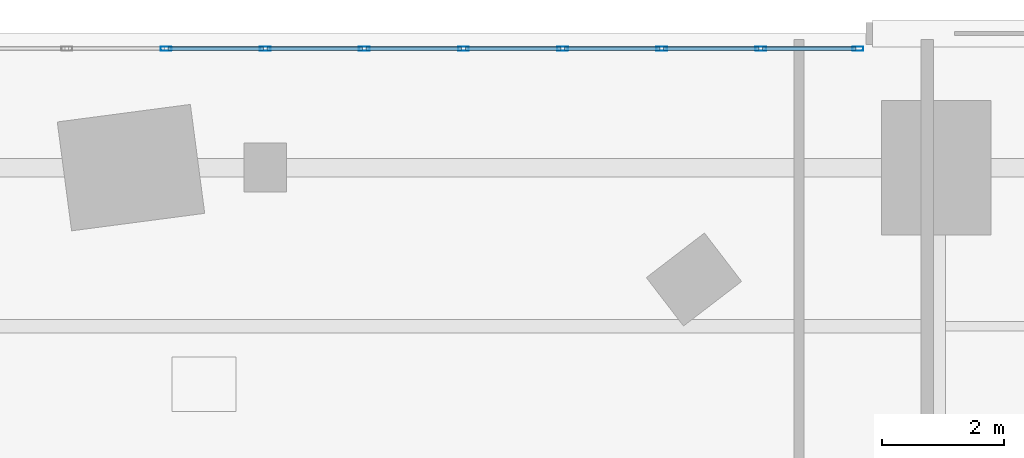
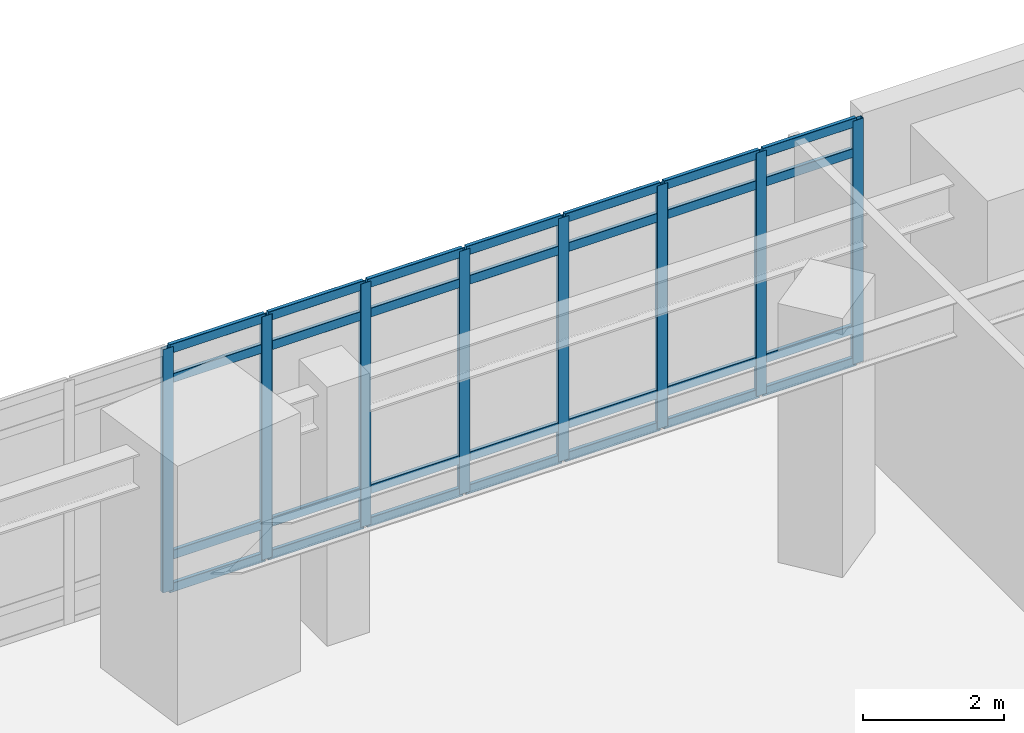
# One storey, part 10 of 19: 36 members, 1 element without a shape of its own.
"""IFC4 building model written with IfcOpenShell, lengths in metres."""

from ifc_helpers import new_model, si_unit, direction, frame, origin, origin_2d, place, context, subcontext, project, spatial, hollow_rectangle, extrude, material, layer, layer_set, material_profile, profile_set, type_object, element, aggregate, save


model = new_model("IFC4")

# Units and contexts
model_context = context("Model", 3, precision=1e-05, world=origin(), true_north=direction((0.0, 1.0)))
body_context = subcontext(model_context, "Body", "Model", "MODEL_VIEW")
ifc_project = project(units=[si_unit("LENGTHUNIT", "METRE"), si_unit("AREAUNIT", "SQUARE_METRE"), si_unit("VOLUMEUNIT", "CUBIC_METRE"), si_unit("PLANEANGLEUNIT", "RADIAN"), si_unit("MASSUNIT", "GRAM", prefix="KILO")], contexts=[model_context])

# Site, building, storey
site_placement = place(None, origin())
site = spatial("IfcSite", under=ifc_project, at=site_placement, CompositionType="ELEMENT")
building_placement = place(site_placement, origin())
building = spatial("IfcBuilding", under=site, at=building_placement, Name="Ndelora Gate Hotel", CompositionType="ELEMENT")
storey_placement = place(building_placement, frame((0.0, 0.0, 21.5)))
storey = spatial("IfcBuildingStorey", under=building, at=storey_placement, Name="L04", CompositionType="ELEMENT", Elevation=21.5)

# Curtain wall, members
ifc_material_1 = material(Name="Bronze Anodised Unitised Aluminium and Low-E Glass", Category="aluminium")
ifc_layer = layer(ifc_material_1, 0.219970703125)
ifc_layer_set = layer_set([ifc_layer], Name="Bronze Anodised Unitised Aluminium and Low-E Glass")
curtain_wall_type = type_object("IfcCurtainWallType", Name="CW-SYS-2", PredefinedType="NOTDEFINED", material=ifc_layer_set)
curtain_wall_placement = place(storey_placement, origin())
curtain_wall = element("IfcCurtainWall", 1, at=curtain_wall_placement, inside=storey, type_object=curtain_wall_type, Name="L04 North Banquet Pre-Function Curtain Wall CW2", PredefinedType="NOTDEFINED")
ifc_material_2 = material(Name="Bronze Anodised Aluminium 6063-T6", Category="aluminium")
ifc_material_profile_1 = material_profile(ifc_material_2, hollow_rectangle(XDim=0.070068359375, YDim=0.179931640625, WallThickness=0.0048828125, InnerFilletRadius=0.0048828125, OuterFilletRadius=0.010009765625, at=origin_2d()), Name="ALU 180x70x5")
ifc_profile_set_1 = profile_set([ifc_material_profile_1], Name="Bronze Anodised Aluminium 6063-T6")
member_type_1 = type_object("IfcMemberType", Name="MB-CW-MUL180", PredefinedType="MULLION", material=ifc_profile_set_1)
member_1_placement = place(storey_placement, frame((9.715087890625, 20.75, -0.00390625), z_axis=(0.0, 0.0, 1.0), x_axis=(0.0, -1.0, 0.0)))
member_1 = element("IfcMember", 2, at=member_1_placement, type_object=member_type_1, Name="CW2 mullion 1", PredefinedType="MULLION", context=body_context, shape_type="SweptSolid", body=[
    extrude(hollow_rectangle(XDim=0.070068359375, YDim=0.179931640625, WallThickness=0.0048828125, InnerFilletRadius=0.0048828125, OuterFilletRadius=0.010009765625, at=origin_2d()), origin(), (0.0, 0.0, 1.0), 4.22802734375),
])
member_2_placement = place(storey_placement, frame((8.125, 20.75, -0.00390625), z_axis=(0.0, 0.0, 1.0), x_axis=(0.0, -1.0, 0.0)))
member_2 = element("IfcMember", 3, at=member_2_placement, type_object=member_type_1, Name="CW2 mullion 2", PredefinedType="MULLION", context=body_context, shape_type="SweptSolid", body=[
    extrude(hollow_rectangle(XDim=0.070068359375, YDim=0.179931640625, WallThickness=0.0048828125, InnerFilletRadius=0.0048828125, OuterFilletRadius=0.010009765625, at=origin_2d()), origin(), (0.0, 0.0, 1.0), 4.22802734375),
])
member_3_placement = place(storey_placement, frame((6.5, 20.75, -0.00390625), z_axis=(0.0, 0.0, 1.0), x_axis=(0.0, -1.0, 0.0)))
member_3 = element("IfcMember", 4, at=member_3_placement, type_object=member_type_1, Name="CW2 mullion 3", PredefinedType="MULLION", context=body_context, shape_type="SweptSolid", body=[
    extrude(hollow_rectangle(XDim=0.070068359375, YDim=0.179931640625, WallThickness=0.0048828125, InnerFilletRadius=0.0048828125, OuterFilletRadius=0.010009765625, at=origin_2d()), origin(), (0.0, 0.0, 1.0), 4.22802734375),
])
member_4_placement = place(storey_placement, frame((4.875, 20.75, -0.00390625), z_axis=(0.0, 0.0, 1.0), x_axis=(0.0, -1.0, 0.0)))
member_4 = element("IfcMember", 5, at=member_4_placement, type_object=member_type_1, Name="CW2 mullion 4", PredefinedType="MULLION", context=body_context, shape_type="SweptSolid", body=[
    extrude(hollow_rectangle(XDim=0.070068359375, YDim=0.179931640625, WallThickness=0.0048828125, InnerFilletRadius=0.0048828125, OuterFilletRadius=0.010009765625, at=origin_2d()), origin(), (0.0, 0.0, 1.0), 4.22802734375),
])
member_5_placement = place(storey_placement, frame((3.25, 20.75, -0.00390625), z_axis=(0.0, 0.0, 1.0), x_axis=(0.0, -1.0, 0.0)))
member_5 = element("IfcMember", 6, at=member_5_placement, type_object=member_type_1, Name="CW2 mullion 5", PredefinedType="MULLION", context=body_context, shape_type="SweptSolid", body=[
    extrude(hollow_rectangle(XDim=0.070068359375, YDim=0.179931640625, WallThickness=0.0048828125, InnerFilletRadius=0.0048828125, OuterFilletRadius=0.010009765625, at=origin_2d()), origin(), (0.0, 0.0, 1.0), 4.22802734375),
])
member_6_placement = place(storey_placement, frame((1.625, 20.75, -0.00390625), z_axis=(0.0, 0.0, 1.0), x_axis=(0.0, -1.0, 0.0)))
member_6 = element("IfcMember", 7, at=member_6_placement, type_object=member_type_1, Name="CW2 mullion 6", PredefinedType="MULLION", context=body_context, shape_type="SweptSolid", body=[
    extrude(hollow_rectangle(XDim=0.070068359375, YDim=0.179931640625, WallThickness=0.0048828125, InnerFilletRadius=0.0048828125, OuterFilletRadius=0.010009765625, at=origin_2d()), origin(), (0.0, 0.0, 1.0), 4.22802734375),
])
member_7_placement = place(storey_placement, frame((0.0, 20.75, -0.00390625), z_axis=(0.0, 0.0, 1.0), x_axis=(0.0, -1.0, 0.0)))
member_7 = element("IfcMember", 8, at=member_7_placement, type_object=member_type_1, Name="CW2 mullion 7", PredefinedType="MULLION", context=body_context, shape_type="SweptSolid", body=[
    extrude(hollow_rectangle(XDim=0.070068359375, YDim=0.179931640625, WallThickness=0.0048828125, InnerFilletRadius=0.0048828125, OuterFilletRadius=0.010009765625, at=origin_2d()), origin(), (0.0, 0.0, 1.0), 4.22802734375),
])
member_8_placement = place(storey_placement, frame((-1.625, 20.75, -0.00390625), z_axis=(0.0, 0.0, 1.0), x_axis=(0.0, -1.0, 0.0)))
member_8 = element("IfcMember", 9, at=member_8_placement, type_object=member_type_1, Name="CW2 mullion 8", PredefinedType="MULLION", context=body_context, shape_type="SweptSolid", body=[
    extrude(hollow_rectangle(XDim=0.070068359375, YDim=0.179931640625, WallThickness=0.0048828125, InnerFilletRadius=0.0048828125, OuterFilletRadius=0.010009765625, at=origin_2d()), origin(), (0.0, 0.0, 1.0), 4.22802734375),
])
ifc_material_profile_2 = material_profile(ifc_material_2, hollow_rectangle(XDim=0.06494140625, YDim=0.159912109375, WallThickness=0.00390625, InnerFilletRadius=0.00390625, OuterFilletRadius=0.008056640625, at=origin_2d()), Name="ALU 160x65x4")
ifc_profile_set_2 = profile_set([ifc_material_profile_2], Name="Bronze Anodised Aluminium 6063-T6")
member_type_2 = type_object("IfcMemberType", Name="MB-CW-TRN150", PredefinedType="USERDEFINED", material=ifc_profile_set_2)
member_9_placement = place(storey_placement, frame((9.68603515625, 20.75, 0.032470703125), z_axis=(-1.0, 0.0, 0.0), x_axis=(0.0, -1.0, 0.0)))
member_9 = element("IfcMember", 10, at=member_9_placement, type_object=member_type_2, Name="CW2 transom 1.1", ObjectType="TRANSOM", PredefinedType="USERDEFINED", context=body_context, shape_type="SweptSolid", body=[
    extrude(hollow_rectangle(XDim=0.06494140625, YDim=0.159912109375, WallThickness=0.00390625, InnerFilletRadius=0.00390625, OuterFilletRadius=0.008056640625, at=origin_2d()), origin(), (0.0, 0.0, 1.0), 1.531982421875),
])
member_10_placement = place(storey_placement, frame((9.68603515625, 20.75, 0.60009765625), z_axis=(-1.0, 0.0, 0.0), x_axis=(0.0, -1.0, 0.0)))
member_10 = element("IfcMember", 11, at=member_10_placement, type_object=member_type_2, Name="CW2 transom 1.2", ObjectType="TRANSOM", PredefinedType="USERDEFINED", context=body_context, shape_type="SweptSolid", body=[
    extrude(hollow_rectangle(XDim=0.06494140625, YDim=0.159912109375, WallThickness=0.00390625, InnerFilletRadius=0.00390625, OuterFilletRadius=0.008056640625, at=origin_2d()), origin(), (0.0, 0.0, 1.0), 1.531982421875),
])
member_11_placement = place(storey_placement, frame((9.68603515625, 20.75, 3.669921875), z_axis=(-1.0, 0.0, 0.0), x_axis=(0.0, -1.0, 0.0)))
member_11 = element("IfcMember", 12, at=member_11_placement, type_object=member_type_2, Name="CW2 transom 1.3", ObjectType="TRANSOM", PredefinedType="USERDEFINED", context=body_context, shape_type="SweptSolid", body=[
    extrude(hollow_rectangle(XDim=0.06494140625, YDim=0.159912109375, WallThickness=0.00390625, InnerFilletRadius=0.00390625, OuterFilletRadius=0.008056640625, at=origin_2d()), origin(), (0.0, 0.0, 1.0), 1.531982421875),
])
member_12_placement = place(storey_placement, frame((9.68603515625, 20.75, 4.1875), z_axis=(-1.0, 0.0, 0.0), x_axis=(0.0, -1.0, 0.0)))
member_12 = element("IfcMember", 13, at=member_12_placement, type_object=member_type_2, Name="CW2 transom 1.4", ObjectType="TRANSOM", PredefinedType="USERDEFINED", context=body_context, shape_type="SweptSolid", body=[
    extrude(hollow_rectangle(XDim=0.06494140625, YDim=0.159912109375, WallThickness=0.00390625, InnerFilletRadius=0.00390625, OuterFilletRadius=0.008056640625, at=origin_2d()), origin(), (0.0, 0.0, 1.0), 1.531982421875),
])
member_13_placement = place(storey_placement, frame((8.095947265625, 20.75, 0.032470703125), z_axis=(-1.0, 0.0, 0.0), x_axis=(0.0, -1.0, 0.0)))
member_13 = element("IfcMember", 14, at=member_13_placement, type_object=member_type_2, Name="CW2 transom 2.1", ObjectType="TRANSOM", PredefinedType="USERDEFINED", context=body_context, shape_type="SweptSolid", body=[
    extrude(hollow_rectangle(XDim=0.06494140625, YDim=0.159912109375, WallThickness=0.00390625, InnerFilletRadius=0.00390625, OuterFilletRadius=0.008056640625, at=origin_2d()), origin(), (0.0, 0.0, 1.0), 1.56689453125),
])
member_14_placement = place(storey_placement, frame((8.095947265625, 20.75, 0.60009765625), z_axis=(-1.0, 0.0, 0.0), x_axis=(0.0, -1.0, 0.0)))
member_14 = element("IfcMember", 15, at=member_14_placement, type_object=member_type_2, Name="CW2 transom 2.2", ObjectType="TRANSOM", PredefinedType="USERDEFINED", context=body_context, shape_type="SweptSolid", body=[
    extrude(hollow_rectangle(XDim=0.06494140625, YDim=0.159912109375, WallThickness=0.00390625, InnerFilletRadius=0.00390625, OuterFilletRadius=0.008056640625, at=origin_2d()), origin(), (0.0, 0.0, 1.0), 1.56689453125),
])
member_15_placement = place(storey_placement, frame((8.095947265625, 20.75, 3.669921875), z_axis=(-1.0, 0.0, 0.0), x_axis=(0.0, -1.0, 0.0)))
member_15 = element("IfcMember", 16, at=member_15_placement, type_object=member_type_2, Name="CW2 transom 2.3", ObjectType="TRANSOM", PredefinedType="USERDEFINED", context=body_context, shape_type="SweptSolid", body=[
    extrude(hollow_rectangle(XDim=0.06494140625, YDim=0.159912109375, WallThickness=0.00390625, InnerFilletRadius=0.00390625, OuterFilletRadius=0.008056640625, at=origin_2d()), origin(), (0.0, 0.0, 1.0), 1.56689453125),
])
member_16_placement = place(storey_placement, frame((8.095947265625, 20.75, 4.1875), z_axis=(-1.0, 0.0, 0.0), x_axis=(0.0, -1.0, 0.0)))
member_16 = element("IfcMember", 17, at=member_16_placement, type_object=member_type_2, Name="CW2 transom 2.4", ObjectType="TRANSOM", PredefinedType="USERDEFINED", context=body_context, shape_type="SweptSolid", body=[
    extrude(hollow_rectangle(XDim=0.06494140625, YDim=0.159912109375, WallThickness=0.00390625, InnerFilletRadius=0.00390625, OuterFilletRadius=0.008056640625, at=origin_2d()), origin(), (0.0, 0.0, 1.0), 1.56689453125),
])
member_17_placement = place(storey_placement, frame((6.470947265625, 20.75, 0.032470703125), z_axis=(-1.0, 0.0, 0.0), x_axis=(0.0, -1.0, 0.0)))
member_17 = element("IfcMember", 18, at=member_17_placement, type_object=member_type_2, Name="CW2 transom 3.1", ObjectType="TRANSOM", PredefinedType="USERDEFINED", context=body_context, shape_type="SweptSolid", body=[
    extrude(hollow_rectangle(XDim=0.06494140625, YDim=0.159912109375, WallThickness=0.00390625, InnerFilletRadius=0.00390625, OuterFilletRadius=0.008056640625, at=origin_2d()), origin(), (0.0, 0.0, 1.0), 1.56689453125),
])
member_18_placement = place(storey_placement, frame((6.470947265625, 20.75, 0.60009765625), z_axis=(-1.0, 0.0, 0.0), x_axis=(0.0, -1.0, 0.0)))
member_18 = element("IfcMember", 19, at=member_18_placement, type_object=member_type_2, Name="CW2 transom 3.2", ObjectType="TRANSOM", PredefinedType="USERDEFINED", context=body_context, shape_type="SweptSolid", body=[
    extrude(hollow_rectangle(XDim=0.06494140625, YDim=0.159912109375, WallThickness=0.00390625, InnerFilletRadius=0.00390625, OuterFilletRadius=0.008056640625, at=origin_2d()), origin(), (0.0, 0.0, 1.0), 1.56689453125),
])
member_19_placement = place(storey_placement, frame((6.470947265625, 20.75, 3.669921875), z_axis=(-1.0, 0.0, 0.0), x_axis=(0.0, -1.0, 0.0)))
member_19 = element("IfcMember", 20, at=member_19_placement, type_object=member_type_2, Name="CW2 transom 3.3", ObjectType="TRANSOM", PredefinedType="USERDEFINED", context=body_context, shape_type="SweptSolid", body=[
    extrude(hollow_rectangle(XDim=0.06494140625, YDim=0.159912109375, WallThickness=0.00390625, InnerFilletRadius=0.00390625, OuterFilletRadius=0.008056640625, at=origin_2d()), origin(), (0.0, 0.0, 1.0), 1.56689453125),
])
member_20_placement = place(storey_placement, frame((6.470947265625, 20.75, 4.1875), z_axis=(-1.0, 0.0, 0.0), x_axis=(0.0, -1.0, 0.0)))
member_20 = element("IfcMember", 21, at=member_20_placement, type_object=member_type_2, Name="CW2 transom 3.4", ObjectType="TRANSOM", PredefinedType="USERDEFINED", context=body_context, shape_type="SweptSolid", body=[
    extrude(hollow_rectangle(XDim=0.06494140625, YDim=0.159912109375, WallThickness=0.00390625, InnerFilletRadius=0.00390625, OuterFilletRadius=0.008056640625, at=origin_2d()), origin(), (0.0, 0.0, 1.0), 1.56689453125),
])
member_21_placement = place(storey_placement, frame((4.845947265625, 20.75, 0.032470703125), z_axis=(-1.0, 0.0, 0.0), x_axis=(0.0, -1.0, 0.0)))
member_21 = element("IfcMember", 22, at=member_21_placement, type_object=member_type_2, Name="CW2 transom 4.1", ObjectType="TRANSOM", PredefinedType="USERDEFINED", context=body_context, shape_type="SweptSolid", body=[
    extrude(hollow_rectangle(XDim=0.06494140625, YDim=0.159912109375, WallThickness=0.00390625, InnerFilletRadius=0.00390625, OuterFilletRadius=0.008056640625, at=origin_2d()), origin(), (0.0, 0.0, 1.0), 1.56689453125),
])
member_22_placement = place(storey_placement, frame((4.845947265625, 20.75, 0.60009765625), z_axis=(-1.0, 0.0, 0.0), x_axis=(0.0, -1.0, 0.0)))
member_22 = element("IfcMember", 23, at=member_22_placement, type_object=member_type_2, Name="CW2 transom 4.2", ObjectType="TRANSOM", PredefinedType="USERDEFINED", context=body_context, shape_type="SweptSolid", body=[
    extrude(hollow_rectangle(XDim=0.06494140625, YDim=0.159912109375, WallThickness=0.00390625, InnerFilletRadius=0.00390625, OuterFilletRadius=0.008056640625, at=origin_2d()), origin(), (0.0, 0.0, 1.0), 1.56689453125),
])
member_23_placement = place(storey_placement, frame((4.845947265625, 20.75, 3.669921875), z_axis=(-1.0, 0.0, 0.0), x_axis=(0.0, -1.0, 0.0)))
member_23 = element("IfcMember", 24, at=member_23_placement, type_object=member_type_2, Name="CW2 transom 4.3", ObjectType="TRANSOM", PredefinedType="USERDEFINED", context=body_context, shape_type="SweptSolid", body=[
    extrude(hollow_rectangle(XDim=0.06494140625, YDim=0.159912109375, WallThickness=0.00390625, InnerFilletRadius=0.00390625, OuterFilletRadius=0.008056640625, at=origin_2d()), origin(), (0.0, 0.0, 1.0), 1.56689453125),
])
member_24_placement = place(storey_placement, frame((4.845947265625, 20.75, 4.1875), z_axis=(-1.0, 0.0, 0.0), x_axis=(0.0, -1.0, 0.0)))
member_24 = element("IfcMember", 25, at=member_24_placement, type_object=member_type_2, Name="CW2 transom 4.4", ObjectType="TRANSOM", PredefinedType="USERDEFINED", context=body_context, shape_type="SweptSolid", body=[
    extrude(hollow_rectangle(XDim=0.06494140625, YDim=0.159912109375, WallThickness=0.00390625, InnerFilletRadius=0.00390625, OuterFilletRadius=0.008056640625, at=origin_2d()), origin(), (0.0, 0.0, 1.0), 1.56689453125),
])
member_25_placement = place(storey_placement, frame((3.220947265625, 20.75, 0.032470703125), z_axis=(-1.0, 0.0, 0.0), x_axis=(0.0, -1.0, 0.0)))
member_25 = element("IfcMember", 26, at=member_25_placement, type_object=member_type_2, Name="CW2 transom 5.1", ObjectType="TRANSOM", PredefinedType="USERDEFINED", context=body_context, shape_type="SweptSolid", body=[
    extrude(hollow_rectangle(XDim=0.06494140625, YDim=0.159912109375, WallThickness=0.00390625, InnerFilletRadius=0.00390625, OuterFilletRadius=0.008056640625, at=origin_2d()), origin(), (0.0, 0.0, 1.0), 1.56689453125),
])
member_26_placement = place(storey_placement, frame((3.220947265625, 20.75, 0.60009765625), z_axis=(-1.0, 0.0, 0.0), x_axis=(0.0, -1.0, 0.0)))
member_26 = element("IfcMember", 27, at=member_26_placement, type_object=member_type_2, Name="CW2 transom 5.2", ObjectType="TRANSOM", PredefinedType="USERDEFINED", context=body_context, shape_type="SweptSolid", body=[
    extrude(hollow_rectangle(XDim=0.06494140625, YDim=0.159912109375, WallThickness=0.00390625, InnerFilletRadius=0.00390625, OuterFilletRadius=0.008056640625, at=origin_2d()), origin(), (0.0, 0.0, 1.0), 1.56689453125),
])
member_27_placement = place(storey_placement, frame((3.220947265625, 20.75, 3.669921875), z_axis=(-1.0, 0.0, 0.0), x_axis=(0.0, -1.0, 0.0)))
member_27 = element("IfcMember", 28, at=member_27_placement, type_object=member_type_2, Name="CW2 transom 5.3", ObjectType="TRANSOM", PredefinedType="USERDEFINED", context=body_context, shape_type="SweptSolid", body=[
    extrude(hollow_rectangle(XDim=0.06494140625, YDim=0.159912109375, WallThickness=0.00390625, InnerFilletRadius=0.00390625, OuterFilletRadius=0.008056640625, at=origin_2d()), origin(), (0.0, 0.0, 1.0), 1.56689453125),
])
member_28_placement = place(storey_placement, frame((3.220947265625, 20.75, 4.1875), z_axis=(-1.0, 0.0, 0.0), x_axis=(0.0, -1.0, 0.0)))
member_28 = element("IfcMember", 29, at=member_28_placement, type_object=member_type_2, Name="CW2 transom 5.4", ObjectType="TRANSOM", PredefinedType="USERDEFINED", context=body_context, shape_type="SweptSolid", body=[
    extrude(hollow_rectangle(XDim=0.06494140625, YDim=0.159912109375, WallThickness=0.00390625, InnerFilletRadius=0.00390625, OuterFilletRadius=0.008056640625, at=origin_2d()), origin(), (0.0, 0.0, 1.0), 1.56689453125),
])
member_29_placement = place(storey_placement, frame((1.595947265625, 20.75, 0.032470703125), z_axis=(-1.0, 0.0, 0.0), x_axis=(0.0, -1.0, 0.0)))
member_29 = element("IfcMember", 30, at=member_29_placement, type_object=member_type_2, Name="CW2 transom 6.1", ObjectType="TRANSOM", PredefinedType="USERDEFINED", context=body_context, shape_type="SweptSolid", body=[
    extrude(hollow_rectangle(XDim=0.06494140625, YDim=0.159912109375, WallThickness=0.00390625, InnerFilletRadius=0.00390625, OuterFilletRadius=0.008056640625, at=origin_2d()), origin(), (0.0, 0.0, 1.0), 1.56689453125),
])
member_30_placement = place(storey_placement, frame((1.595947265625, 20.75, 0.60009765625), z_axis=(-1.0, 0.0, 0.0), x_axis=(0.0, -1.0, 0.0)))
member_30 = element("IfcMember", 31, at=member_30_placement, type_object=member_type_2, Name="CW2 transom 6.2", ObjectType="TRANSOM", PredefinedType="USERDEFINED", context=body_context, shape_type="SweptSolid", body=[
    extrude(hollow_rectangle(XDim=0.06494140625, YDim=0.159912109375, WallThickness=0.00390625, InnerFilletRadius=0.00390625, OuterFilletRadius=0.008056640625, at=origin_2d()), origin(), (0.0, 0.0, 1.0), 1.56689453125),
])
member_31_placement = place(storey_placement, frame((1.595947265625, 20.75, 3.669921875), z_axis=(-1.0, 0.0, 0.0), x_axis=(0.0, -1.0, 0.0)))
member_31 = element("IfcMember", 32, at=member_31_placement, type_object=member_type_2, Name="CW2 transom 6.3", ObjectType="TRANSOM", PredefinedType="USERDEFINED", context=body_context, shape_type="SweptSolid", body=[
    extrude(hollow_rectangle(XDim=0.06494140625, YDim=0.159912109375, WallThickness=0.00390625, InnerFilletRadius=0.00390625, OuterFilletRadius=0.008056640625, at=origin_2d()), origin(), (0.0, 0.0, 1.0), 1.56689453125),
])
member_32_placement = place(storey_placement, frame((1.595947265625, 20.75, 4.1875), z_axis=(-1.0, 0.0, 0.0), x_axis=(0.0, -1.0, 0.0)))
member_32 = element("IfcMember", 33, at=member_32_placement, type_object=member_type_2, Name="CW2 transom 6.4", ObjectType="TRANSOM", PredefinedType="USERDEFINED", context=body_context, shape_type="SweptSolid", body=[
    extrude(hollow_rectangle(XDim=0.06494140625, YDim=0.159912109375, WallThickness=0.00390625, InnerFilletRadius=0.00390625, OuterFilletRadius=0.008056640625, at=origin_2d()), origin(), (0.0, 0.0, 1.0), 1.56689453125),
])
member_33_placement = place(storey_placement, frame((-0.029052734375, 20.75, 0.032470703125), z_axis=(-1.0, 0.0, 0.0), x_axis=(0.0, -1.0, 0.0)))
member_33 = element("IfcMember", 34, at=member_33_placement, type_object=member_type_2, Name="CW2 transom 7.1", ObjectType="TRANSOM", PredefinedType="USERDEFINED", context=body_context, shape_type="SweptSolid", body=[
    extrude(hollow_rectangle(XDim=0.06494140625, YDim=0.159912109375, WallThickness=0.00390625, InnerFilletRadius=0.00390625, OuterFilletRadius=0.008056640625, at=origin_2d()), origin(), (0.0, 0.0, 1.0), 1.56689453125),
])
member_34_placement = place(storey_placement, frame((-0.029052734375, 20.75, 0.60009765625), z_axis=(-1.0, 0.0, 0.0), x_axis=(0.0, -1.0, 0.0)))
member_34 = element("IfcMember", 35, at=member_34_placement, type_object=member_type_2, Name="CW2 transom 7.2", ObjectType="TRANSOM", PredefinedType="USERDEFINED", context=body_context, shape_type="SweptSolid", body=[
    extrude(hollow_rectangle(XDim=0.06494140625, YDim=0.159912109375, WallThickness=0.00390625, InnerFilletRadius=0.00390625, OuterFilletRadius=0.008056640625, at=origin_2d()), origin(), (0.0, 0.0, 1.0), 1.56689453125),
])
member_35_placement = place(storey_placement, frame((-0.029052734375, 20.75, 3.669921875), z_axis=(-1.0, 0.0, 0.0), x_axis=(0.0, -1.0, 0.0)))
member_35 = element("IfcMember", 36, at=member_35_placement, type_object=member_type_2, Name="CW2 transom 7.3", ObjectType="TRANSOM", PredefinedType="USERDEFINED", context=body_context, shape_type="SweptSolid", body=[
    extrude(hollow_rectangle(XDim=0.06494140625, YDim=0.159912109375, WallThickness=0.00390625, InnerFilletRadius=0.00390625, OuterFilletRadius=0.008056640625, at=origin_2d()), origin(), (0.0, 0.0, 1.0), 1.56689453125),
])
member_36_placement = place(storey_placement, frame((-0.029052734375, 20.75, 4.1875), z_axis=(-1.0, 0.0, 0.0), x_axis=(0.0, -1.0, 0.0)))
member_36 = element("IfcMember", 37, at=member_36_placement, type_object=member_type_2, Name="CW2 transom 7.4", ObjectType="TRANSOM", PredefinedType="USERDEFINED", context=body_context, shape_type="SweptSolid", body=[
    extrude(hollow_rectangle(XDim=0.06494140625, YDim=0.159912109375, WallThickness=0.00390625, InnerFilletRadius=0.00390625, OuterFilletRadius=0.008056640625, at=origin_2d()), origin(), (0.0, 0.0, 1.0), 1.56689453125),
])
aggregate(curtain_wall, [member_1, member_2, member_3, member_4, member_5, member_6, member_7, member_8, member_9, member_10, member_11, member_12, member_13, member_14, member_15, member_16, member_17, member_18, member_19, member_20, member_21, member_22, member_23, member_24, member_25, member_26, member_27, member_28, member_29, member_30, member_31, member_32, member_33, member_34, member_35, member_36])

save(model, "model.ifc")
